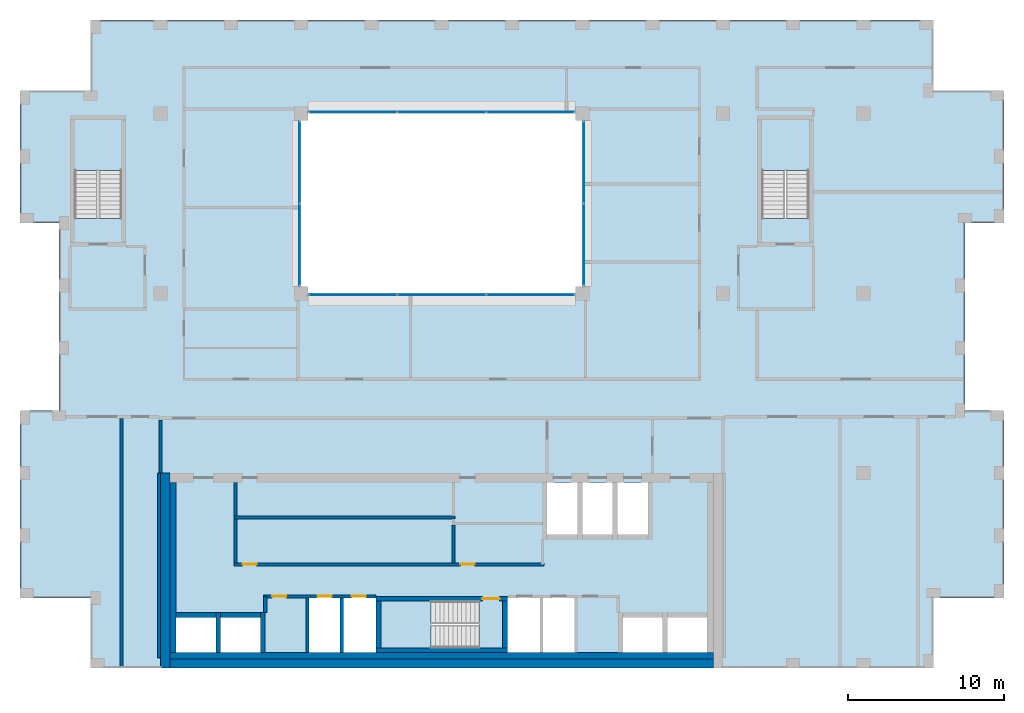
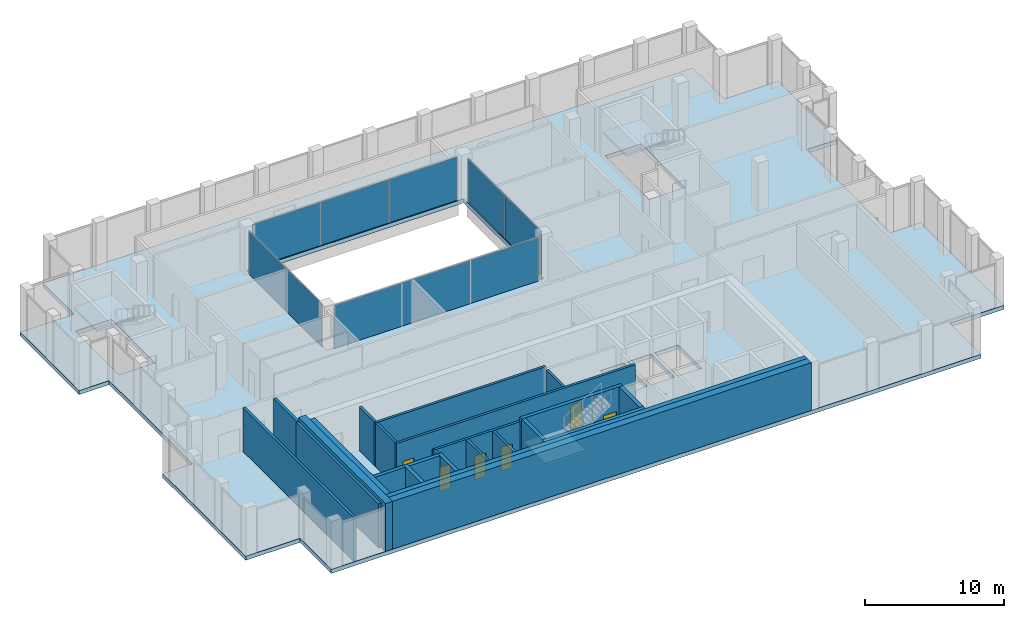
# One storey, part 10 of 15: 24 walls, 10 plates, 6 doors, 4 slabs, 6 openings, 7 elements without a shape of their own.
"""IFC4 building model written with IfcOpenShell, lengths in metres."""

from ifc_helpers import new_model, si_unit, direction, frame, frame_2d, origin, origin_2d, place, context, subcontext, project, spatial, polyline, rectangle, outline, extrude, material, layer, layer_set, type_object, element, fill, aggregate, save


model = new_model("IFC4")

# Units and contexts
model_context = context("Model", 3, precision=1e-05, world=origin(), true_north=direction((0.0, 1.0)))
body_context = subcontext(model_context, "Body", "Model", "MODEL_VIEW")
ifc_project = project(units=[si_unit("LENGTHUNIT", "METRE"), si_unit("AREAUNIT", "SQUARE_METRE"), si_unit("VOLUMEUNIT", "CUBIC_METRE"), si_unit("PLANEANGLEUNIT", "RADIAN"), si_unit("MASSUNIT", "GRAM", prefix="KILO")], contexts=[model_context])

# Site, building, storey
site_placement = place(None, origin())
site = spatial("IfcSite", under=ifc_project, at=site_placement, CompositionType="ELEMENT")
building_placement = place(site_placement, origin())
building = spatial("IfcBuilding", under=site, at=building_placement, Name="Brigalow Station Residences", CompositionType="ELEMENT")
storey_placement = place(building_placement, frame((0.0, 0.0, 235.800048828125)))
storey = spatial("IfcBuildingStorey", under=building, at=storey_placement, Name="L68", CompositionType="ELEMENT", Elevation=235.800048828125)

# Curtain wall, plates
ifc_material_1 = material(Name="Aluminium", Category="aluminium")
ifc_layer_1 = layer(ifc_material_1, 0.14990234375)
ifc_layer_set_1 = layer_set([ifc_layer_1], Name="ATRIUM FIRE-RATED GLAZING CURTAIN WALL")
curtain_wall_type = type_object("IfcCurtainWallType", Name="ATRIUM FIRE-RATED GLAZING CURTAIN WALL", PredefinedType="NOTDEFINED", material=ifc_layer_set_1)
curtain_wall_1_placement = place(storey_placement, origin())
curtain_wall_1 = element("IfcCurtainWall", 1, at=curtain_wall_1_placement, inside=storey, type_object=curtain_wall_type, Name="L68/cw/atrium-S", PredefinedType="NOTDEFINED")
ifc_material_2 = material(Name="Fire-resisting laminated glazing, FRL -/60/-", Category="glass")
ifc_layer_2 = layer(ifc_material_2, 0.031982421875)
ifc_layer_set_2 = layer_set([ifc_layer_2], Name="ATRIUM FIRE-RATED GLAZING PANEL 32")
plate_type = type_object("IfcPlateType", Name="ATRIUM FIRE-RATED GLAZING PANEL 32", PredefinedType="CURTAIN_PANEL", material=ifc_layer_set_2)
plate_1_placement = place(storey_placement, frame((30.31494140625, 23.89990234375, 0.0), z_axis=(0.0, 0.0, 1.0), x_axis=(1.0, 0.0, 0.0)))
plate_1 = element("IfcPlate", 2, at=plate_1_placement, type_object=plate_type, Name="L68/cw/atrium-S/P00-00", PredefinedType="CURTAIN_PANEL", context=body_context, shape_type="SweptSolid", body=[
    extrude(rectangle(XDim=5.610107421875, YDim=0.031982421875, at=origin_2d()), origin(), (0.0, 0.0, 1.0), 3.7900390625),
])
plate_2_placement = place(storey_placement, frame((36.0, 23.89990234375, 0.0), z_axis=(0.0, 0.0, 1.0), x_axis=(1.0, 0.0, 0.0)))
plate_2 = element("IfcPlate", 3, at=plate_2_placement, type_object=plate_type, Name="L68/cw/atrium-S/P01-00", PredefinedType="CURTAIN_PANEL", context=body_context, shape_type="SweptSolid", body=[
    extrude(rectangle(XDim=5.639892578125, YDim=0.031982421875, at=origin_2d()), origin(), (0.0, 0.0, 1.0), 3.7900390625),
])
plate_3_placement = place(storey_placement, frame((41.68505859375, 23.89990234375, 0.0), z_axis=(0.0, 0.0, 1.0), x_axis=(1.0, 0.0, 0.0)))
plate_3 = element("IfcPlate", 4, at=plate_3_placement, type_object=plate_type, Name="L68/cw/atrium-S/P02-00", PredefinedType="CURTAIN_PANEL", context=body_context, shape_type="SweptSolid", body=[
    extrude(rectangle(XDim=5.610107421875, YDim=0.031982421875, at=origin_2d()), origin(), (0.0, 0.0, 1.0), 3.7900390625),
])
aggregate(curtain_wall_1, [plate_1, plate_2, plate_3])

curtain_wall_2_placement = place(storey_placement, origin())
curtain_wall_2 = element("IfcCurtainWall", 5, at=curtain_wall_2_placement, inside=storey, type_object=curtain_wall_type, Name="L68/cw/atrium-E", PredefinedType="NOTDEFINED")
plate_4_placement = place(storey_placement, frame((45.10009765625, 27.114990234375, 0.0), z_axis=(0.0, 0.0, 1.0), x_axis=(0.0, 1.0, 0.0)))
plate_4 = element("IfcPlate", 6, at=plate_4_placement, type_object=plate_type, Name="L68/cw/atrium-E/P00-00", PredefinedType="CURTAIN_PANEL", context=body_context, shape_type="SweptSolid", body=[
    extrude(rectangle(XDim=5.2099609375, YDim=0.031982421875, at=origin_2d()), origin(), (0.0, 0.0, 1.0), 3.7900390625),
])
plate_5_placement = place(storey_placement, frame((45.10009765625, 32.385009765625, 0.0), z_axis=(0.0, 0.0, 1.0), x_axis=(0.0, 1.0, 0.0)))
plate_5 = element("IfcPlate", 7, at=plate_5_placement, type_object=plate_type, Name="L68/cw/atrium-E/P01-00", PredefinedType="CURTAIN_PANEL", context=body_context, shape_type="SweptSolid", body=[
    extrude(rectangle(XDim=5.2099609375, YDim=0.031982421875, at=origin_2d()), origin(), (0.0, 0.0, 1.0), 3.7900390625),
])
aggregate(curtain_wall_2, [plate_4, plate_5])

curtain_wall_3_placement = place(storey_placement, origin())
curtain_wall_3 = element("IfcCurtainWall", 8, at=curtain_wall_3_placement, inside=storey, type_object=curtain_wall_type, Name="L68/cw/atrium-N", PredefinedType="NOTDEFINED")
plate_6_placement = place(storey_placement, frame((41.68505859375, 35.60009765625, 0.0), z_axis=(0.0, 0.0, 1.0), x_axis=(-1.0, 0.0, 0.0)))
plate_6 = element("IfcPlate", 9, at=plate_6_placement, type_object=plate_type, Name="L68/cw/atrium-N/P00-00", PredefinedType="CURTAIN_PANEL", context=body_context, shape_type="SweptSolid", body=[
    extrude(rectangle(XDim=5.610107421875, YDim=0.031982421875, at=origin_2d()), origin(), (0.0, 0.0, 1.0), 3.7900390625),
])
plate_7_placement = place(storey_placement, frame((36.0, 35.60009765625, 0.0), z_axis=(0.0, 0.0, 1.0), x_axis=(-1.0, 0.0, 0.0)))
plate_7 = element("IfcPlate", 10, at=plate_7_placement, type_object=plate_type, Name="L68/cw/atrium-N/P01-00", PredefinedType="CURTAIN_PANEL", context=body_context, shape_type="SweptSolid", body=[
    extrude(rectangle(XDim=5.639892578125, YDim=0.031982421875, at=origin_2d()), origin(), (0.0, 0.0, 1.0), 3.7900390625),
])
plate_8_placement = place(storey_placement, frame((30.31494140625, 35.60009765625, 0.0), z_axis=(0.0, 0.0, 1.0), x_axis=(-1.0, 0.0, 0.0)))
plate_8 = element("IfcPlate", 11, at=plate_8_placement, type_object=plate_type, Name="L68/cw/atrium-N/P02-00", PredefinedType="CURTAIN_PANEL", context=body_context, shape_type="SweptSolid", body=[
    extrude(rectangle(XDim=5.610107421875, YDim=0.031982421875, at=origin_2d()), origin(), (0.0, 0.0, 1.0), 3.7900390625),
])
aggregate(curtain_wall_3, [plate_6, plate_7, plate_8])

curtain_wall_4_placement = place(storey_placement, origin())
curtain_wall_4 = element("IfcCurtainWall", 12, at=curtain_wall_4_placement, inside=storey, type_object=curtain_wall_type, Name="L68/cw/atrium-W", PredefinedType="NOTDEFINED")
plate_9_placement = place(storey_placement, frame((26.89990234375, 32.385009765625, 0.0), z_axis=(0.0, 0.0, 1.0), x_axis=(0.0, -1.0, 0.0)))
plate_9 = element("IfcPlate", 13, at=plate_9_placement, type_object=plate_type, Name="L68/cw/atrium-W/P00-00", PredefinedType="CURTAIN_PANEL", context=body_context, shape_type="SweptSolid", body=[
    extrude(rectangle(XDim=5.2099609375, YDim=0.031982421875, at=origin_2d()), origin(), (0.0, 0.0, 1.0), 3.7900390625),
])
plate_10_placement = place(storey_placement, frame((26.89990234375, 27.114990234375, 0.0), z_axis=(0.0, 0.0, 1.0), x_axis=(0.0, -1.0, 0.0)))
plate_10 = element("IfcPlate", 14, at=plate_10_placement, type_object=plate_type, Name="L68/cw/atrium-W/P01-00", PredefinedType="CURTAIN_PANEL", context=body_context, shape_type="SweptSolid", body=[
    extrude(rectangle(XDim=5.2099609375, YDim=0.031982421875, at=origin_2d()), origin(), (0.0, 0.0, 1.0), 3.7900390625),
])
aggregate(curtain_wall_4, [plate_9, plate_10])

# Slab
ifc_material_3 = material(Name="Concrete C50", Category="concrete")
ifc_layer_3 = layer(ifc_material_3, 0.35009765625)
ifc_layer_set_3 = layer_set([ifc_layer_3], Name="REINFORCED PLANT FLOOR SLAB 350 C50")
slab_type_1 = type_object("IfcSlabType", Name="REINFORCED PLANT FLOOR SLAB 350 C50", PredefinedType="FLOOR", material=ifc_layer_set_3)
slab_1_placement = place(storey_placement, frame((0.0, 0.0, -0.35009765625)))
element("IfcSlab", 15, at=slab_1_placement, inside=storey, type_object=slab_type_1, Name="FLOOR SLAB L68", PredefinedType="FLOOR", context=body_context, shape_type="SweptSolid", body=[
    extrude(outline(polyline([(13.5, 0.0), (67.5, 0.0), (67.5, 4.5), (72.0, 4.5), (72.0, 16.5), (69.5, 16.5), (69.5, 28.5), (72.0, 28.5), (72.0, 37.0), (67.5, 37.0), (67.5, 41.5), (13.5, 41.5), (13.5, 37.0), (9.0, 37.0), (9.0, 28.5), (11.5, 28.5), (11.5, 16.5), (9.0, 16.5), (9.0, 4.5), (13.5, 4.5), (13.5, 0.0)]), holes=[polyline([(12.5048828125, 35.094970703125), (15.4951171875, 35.094970703125), (15.4951171875, 28.804931640625), (12.5048828125, 28.804931640625), (12.5048828125, 35.094970703125)]), polyline([(19.0, 1.0), (19.0, 3.25), (21.550048828125, 3.25), (21.550048828125, 1.0), (19.0, 1.0)]), polyline([(21.85009765625, 3.25), (24.39990234375, 3.25), (24.39990234375, 1.0), (21.85009765625, 1.0), (21.85009765625, 3.25)]), polyline([(27.0, 35.5), (45.0, 35.5), (45.0, 24.0), (27.0, 24.0), (27.0, 35.5)]), polyline([(29.60009765625, 4.60009765625), (31.800048828125, 4.60009765625), (31.800048828125, 1.0), (29.60009765625, 1.0), (27.39990234375, 1.0), (27.39990234375, 4.60009765625), (29.60009765625, 4.60009765625)]), polyline([(32.10498046875, 4.294921875), (38.39501953125, 4.294921875), (38.39501953125, 1.304931640625), (32.10498046875, 1.304931640625), (32.10498046875, 4.294921875)]), polyline([(40.199951171875, 4.60009765625), (42.39990234375, 4.60009765625), (44.60009765625, 4.60009765625), (44.60009765625, 1.0), (42.39990234375, 1.0), (40.199951171875, 1.0), (40.199951171875, 4.60009765625)]), polyline([(42.75, 11.89990234375), (44.699951171875, 11.89990234375), (44.699951171875, 8.550048828125), (42.75, 8.550048828125), (42.75, 11.89990234375)]), polyline([(45.0, 11.89990234375), (46.949951171875, 11.89990234375), (46.949951171875, 8.550048828125), (45.0, 8.550048828125), (45.0, 11.89990234375)]), polyline([(47.25, 11.89990234375), (49.199951171875, 11.89990234375), (49.199951171875, 8.550048828125), (47.25, 8.550048828125), (47.25, 11.89990234375)]), polyline([(47.60009765625, 3.25), (50.14990234375, 3.25), (50.14990234375, 1.0), (47.60009765625, 1.0), (47.60009765625, 3.25)]), polyline([(50.449951171875, 3.25), (53.0, 3.25), (53.0, 1.0), (50.449951171875, 1.0), (50.449951171875, 3.25)]), polyline([(56.5048828125, 35.094970703125), (59.4951171875, 35.094970703125), (59.4951171875, 28.804931640625), (56.5048828125, 28.804931640625), (56.5048828125, 35.094970703125)])]), origin(), (0.0, 0.0, 1.0), 0.35009765625),
])

# Stair, slab
ifc_material_4 = material(Name="Concrete C50", Category="concrete")
stair_type = type_object("IfcStairType", Name="EXIT STAIR 1400 2 FLIGHT", PredefinedType="HALF_TURN_STAIR", material=ifc_material_4)
stair_1_placement = place(storey_placement, origin())
stair_1 = element("IfcStair", 16, at=stair_1_placement, inside=storey, type_object=stair_type, Name="EXIT STAIR S2 L68", PredefinedType="HALF_TURN_STAIR")
ifc_material_5 = material(Name="Concrete C50", Category="concrete")
ifc_layer_4 = layer(ifc_material_5, 0.199951171875)
ifc_layer_set_4 = layer_set([ifc_layer_4], Name="STAIR LANDING 200")
slab_type_2 = type_object("IfcSlabType", Name="STAIR LANDING 200", PredefinedType="LANDING", material=ifc_layer_set_4)
slab_2_placement = place(storey_placement, frame((0.0, 0.0, 1.89990234375)))
slab_2 = element("IfcSlab", 17, at=slab_2_placement, type_object=slab_type_2, Name="ST-2 landing 1", PredefinedType="LANDING", context=body_context, shape_type="SweptSolid", body=[
    extrude(outline(polyline([(32.0, 1.199951171875), (35.320068359375, 1.199951171875), (35.320068359375, 4.39990234375), (32.0, 4.39990234375), (32.0, 1.199951171875)])), origin(), (0.0, 0.0, 1.0), 0.199951171875),
])
aggregate(stair_1, [slab_2])

stair_2_placement = place(storey_placement, origin())
stair_2 = element("IfcStair", 18, at=stair_2_placement, inside=storey, type_object=stair_type, Name="EXIT STAIR S1 L68", PredefinedType="HALF_TURN_STAIR")
slab_3_placement = place(storey_placement, frame((0.0, 0.0, 1.89990234375)))
slab_3 = element("IfcSlab", 19, at=slab_3_placement, type_object=slab_type_2, Name="ST-1 landing 1", PredefinedType="LANDING", context=body_context, shape_type="SweptSolid", body=[
    extrude(outline(polyline([(12.39990234375, 31.8798828125), (15.60009765625, 31.8798828125), (15.60009765625, 35.199951171875), (12.39990234375, 35.199951171875), (12.39990234375, 31.8798828125)])), origin(), (0.0, 0.0, 1.0), 0.199951171875),
])
aggregate(stair_2, [slab_3])

stair_3_placement = place(storey_placement, origin())
stair_3 = element("IfcStair", 20, at=stair_3_placement, inside=storey, type_object=stair_type, Name="EXIT STAIR S3 L68", PredefinedType="HALF_TURN_STAIR")
slab_4_placement = place(storey_placement, frame((0.0, 0.0, 1.89990234375)))
slab_4 = element("IfcSlab", 21, at=slab_4_placement, type_object=slab_type_2, Name="ST-3 landing 1", PredefinedType="LANDING", context=body_context, shape_type="SweptSolid", body=[
    extrude(outline(polyline([(56.39990234375, 31.8798828125), (59.60009765625, 31.8798828125), (59.60009765625, 35.199951171875), (56.39990234375, 35.199951171875), (56.39990234375, 31.8798828125)])), origin(), (0.0, 0.0, 1.0), 0.199951171875),
])
aggregate(stair_3, [slab_4])

# Walls
ifc_material_6 = material(Name="Concrete C50", Category="concrete")
ifc_layer_5 = layer(ifc_material_6, 0.300048828125)
ifc_layer_set_5 = layer_set([ifc_layer_5], Name="CORE SHEAR WALL 300 C50")
wall_type_1 = type_object("IfcWallType", Name="CORE SHEAR WALL 300 C50", PredefinedType="SHEAR", material=ifc_layer_set_5)
wall_1_placement = place(storey_placement, frame((19.0, 3.39990234375, 0.0), z_axis=(0.0, 0.0, 1.0), x_axis=(1.0, 0.0, 0.0)))
element("IfcWall", 22, at=wall_1_placement, inside=storey, type_object=wall_type_1, Name="CORE WALL SH-C1-N L68", PredefinedType="SHEAR", context=body_context, shape_type="SweptSolid", body=[
    extrude(rectangle(XDim=2.550048828125, YDim=0.300048828125, at=frame_2d((1.27490234375, 0.0))), origin(), (0.0, 0.0, 1.0), 4.199951171875),
])
wall_2_placement = place(storey_placement, frame((21.85009765625, 3.39990234375, 0.0), z_axis=(0.0, 0.0, 1.0), x_axis=(1.0, 0.0, 0.0)))
element("IfcWall", 23, at=wall_2_placement, inside=storey, type_object=wall_type_1, Name="CORE WALL SH-C2-N L68", PredefinedType="SHEAR", context=body_context, shape_type="SweptSolid", body=[
    extrude(rectangle(XDim=2.5498046875, YDim=0.300048828125, at=frame_2d((1.27490234375, 0.0))), origin(), (0.0, 0.0, 1.0), 4.199951171875),
])
for number, where, z_axis, x_axis, name in (
    (24, (21.699951171875, 1.0, 0.0), (0.0, 0.0, 1.0), (0.0, 1.0, 0.0), "CORE WALL SH-C2-W L68"),
    (25, (24.550048828125, 1.0, 0.0), (0.0, 0.0, 1.0), (0.0, 1.0, 0.0), "CORE WALL SH-C2-E L68"),
):
    element("IfcWall", number, at=place(storey_placement, frame(where, z_axis=z_axis, x_axis=x_axis)), inside=storey, type_object=wall_type_1, Name=name, PredefinedType="SHEAR", context=body_context, shape_type="SweptSolid", body=[
        extrude(rectangle(XDim=2.550048828125, YDim=0.300048828125, at=frame_2d((1.27490234375, 0.0))), origin(), (0.0, 0.0, 1.0), 4.199951171875),
    ])
wall_3_placement = place(storey_placement, frame((31.800048828125, 1.14990234375, 0.0), z_axis=(0.0, 0.0, 1.0), x_axis=(1.0, 0.0, 0.0)))
element("IfcWall", 26, at=wall_3_placement, inside=storey, type_object=wall_type_1, Name="CORE WALL ST-S2-S L68", PredefinedType="SHEAR", context=body_context, shape_type="SweptSolid", body=[
    extrude(rectangle(XDim=8.39990234375, YDim=0.300048828125, at=frame_2d((4.199951171875, 0.0))), origin(), (0.0, 0.0, 1.0), 4.199951171875),
])

# Wall, opening, door
wall_4_placement = place(storey_placement, frame((31.800048828125, 4.449951171875, 0.0), z_axis=(0.0, 0.0, 1.0), x_axis=(1.0, 0.0, 0.0)))
wall_4 = element("IfcWall", 27, at=wall_4_placement, inside=storey, type_object=wall_type_1, Name="CORE WALL ST-S2-N L68", PredefinedType="SHEAR", context=body_context, shape_type="SweptSolid", body=[
    extrude(rectangle(XDim=8.39990234375, YDim=0.300048828125, at=frame_2d((4.199951171875, 0.0))), origin(), (0.0, 0.0, 1.0), 4.199951171875),
])
opening_1_placement = place(wall_4_placement, frame((6.800048828125, 0.0, 0.0)))
opening_1 = element("IfcOpeningElement", 28, at=opening_1_placement, cuts=wall_4, Name="Opening D-5001", PredefinedType="OPENING", context=body_context, shape_type="SweptSolid", body=[
    extrude(rectangle(XDim=1.10009765625, YDim=2.10009765625, at=frame_2d((0.550048828125, 1.050048828125))), frame((0.0, 0.16015625, 0.0), z_axis=(0.0, -1.0, 0.0), x_axis=(1.0, 0.0, 0.0)), (0.0, 0.0, 1.0), 0.320068359375),
])
ifc_material_7 = material(Name="Steel fire door leaf in steel frame", Category="steel")
door_type_1 = type_object("IfcDoorType", Name="STAIR DOOR 1100 x 2100 FD60S", OperationType="SINGLE_SWING_LEFT", PredefinedType="DOOR", material=ifc_material_7)
door_1_placement = place(opening_1_placement, frame((1.10009765625, 0.0, 0.0), z_axis=(0.0, 0.0, 1.0), x_axis=(-1.0, 0.0, 0.0)))
door_1 = element("IfcDoor", 29, at=door_1_placement, inside=storey, type_object=door_type_1, Name="D-5001", OperationType="SINGLE_SWING_LEFT", OverallHeight=2.10009765625, OverallWidth=1.10009765625, PredefinedType="DOOR", context=body_context, shape_type="SweptSolid", body=[
    extrude(rectangle(XDim=1.10009765625, YDim=2.10009765625, at=frame_2d((0.550048828125, 1.050048828125))), frame((0.0, 0.02490234375, 0.0), z_axis=(0.0, -1.0, 0.0), x_axis=(1.0, 0.0, 0.0)), (0.0, 0.0, 1.0), 0.050048828125),
])
fill(opening_1, door_1)

# Walls
for number, where, z_axis, x_axis, name in (
    (30, (31.949951171875, 1.300048828125, 0.0), (0.0, 0.0, 1.0), (0.0, 1.0, 0.0), "CORE WALL ST-S2-W L68"),
    (31, (40.050048828125, 1.300048828125, 0.0), (0.0, 0.0, 1.0), (0.0, 1.0, 0.0), "CORE WALL ST-S2-E L68"),
):
    element("IfcWall", number, at=place(storey_placement, frame(where, z_axis=z_axis, x_axis=x_axis)), inside=storey, type_object=wall_type_1, Name=name, PredefinedType="SHEAR", context=body_context, shape_type="SweptSolid", body=[
        extrude(rectangle(XDim=3.0, YDim=0.300048828125, at=frame_2d((1.5, 0.0))), origin(), (0.0, 0.0, 1.0), 4.199951171875),
    ])
ifc_material_8 = material(Name="Concrete C50", Category="concrete")
ifc_layer_6 = layer(ifc_material_8, 0.39990234375)
ifc_layer_set_6 = layer_set([ifc_layer_6], Name="CORE SHEAR WALL 400 C50")
wall_type_2 = type_object("IfcWallType", Name="CORE SHEAR WALL 400 C50", PredefinedType="SHEAR", material=ifc_layer_set_6)
wall_5_placement = place(storey_placement, frame((18.800048828125, 1.0, 0.0), z_axis=(0.0, 0.0, 1.0), x_axis=(0.0, 1.0, 0.0)))
element("IfcWall", 32, at=wall_5_placement, inside=storey, type_object=wall_type_2, Name="CORE WALL LIN-W L68", PredefinedType="SHEAR", context=body_context, shape_type="SweptSolid", body=[
    extrude(rectangle(XDim=10.89990234375, YDim=0.39990234375, at=frame_2d((5.449951171875, 0.0))), origin(), (0.0, 0.0, 1.0), 4.199951171875),
])
wall_6_placement = place(storey_placement, frame((18.60009765625, 0.800048828125, 0.0), z_axis=(0.0, 0.0, 1.0), x_axis=(1.0, 0.0, 0.0)))
element("IfcWall", 33, at=wall_6_placement, inside=storey, type_object=wall_type_2, Name="CORE WALL LIN-S L68", PredefinedType="SHEAR", context=body_context, shape_type="SweptSolid", body=[
    extrude(rectangle(XDim=34.7998046875, YDim=0.39990234375, at=frame_2d((17.39990234375, 0.0))), origin(), (0.0, 0.0, 1.0), 4.199951171875),
])
ifc_material_9 = material(Name="Concrete C50", Category="concrete")
ifc_layer_7 = layer(ifc_material_9, 0.60009765625)
ifc_layer_set_7 = layer_set([ifc_layer_7], Name="CORE SHEAR WALL 600 C50")
wall_type_3 = type_object("IfcWallType", Name="CORE SHEAR WALL 600 C50", PredefinedType="SHEAR", material=ifc_layer_set_7)
wall_7_placement = place(storey_placement, frame((18.300048828125, 0.0, 0.0), z_axis=(0.0, 0.0, 1.0), x_axis=(0.0, 1.0, 0.0)))
element("IfcWall", 34, at=wall_7_placement, inside=storey, type_object=wall_type_3, Name="CORE WALL OUT-W L68", PredefinedType="SHEAR", context=body_context, shape_type="SweptSolid", body=[
    extrude(rectangle(XDim=12.5, YDim=0.60009765625, at=frame_2d((6.25, 0.0))), origin(), (0.0, 0.0, 1.0), 4.199951171875),
])
wall_8_placement = place(storey_placement, frame((18.60009765625, 0.300048828125, 0.0), z_axis=(0.0, 0.0, 1.0), x_axis=(1.0, 0.0, 0.0)))
element("IfcWall", 35, at=wall_8_placement, inside=storey, type_object=wall_type_3, Name="CORE WALL OUT-S L68", PredefinedType="SHEAR", context=body_context, shape_type="SweptSolid", body=[
    extrude(rectangle(XDim=34.7998046875, YDim=0.60009765625, at=frame_2d((17.39990234375, 0.0))), origin(), (0.0, 0.0, 1.0), 4.199951171875),
])

# Wall, openings, doors
ifc_material_10 = material(Name="Concrete blockwork", Category="masonry")
ifc_layer_8 = layer(ifc_material_10, 0.199951171875)
ifc_layer_set_8 = layer_set([ifc_layer_8], Name="FIRE RATED CORE PARTITION 200")
wall_type_4 = type_object("IfcWallType", Name="FIRE RATED CORE PARTITION 200", PredefinedType="PARTITIONING", material=ifc_layer_set_8)
wall_9_placement = place(storey_placement, frame((24.60009765625, 4.60009765625, 0.0), z_axis=(0.0, 0.0, 1.0), x_axis=(1.0, 0.0, 0.0)))
wall_9 = element("IfcWall", 36, at=wall_9_placement, inside=storey, type_object=wall_type_4, Name="PW-5243", PredefinedType="PARTITIONING", context=body_context, shape_type="SweptSolid", body=[
    extrude(rectangle(XDim=7.199951171875, YDim=0.199951171875, at=frame_2d((3.60009765625, 0.0))), origin(), (0.0, 0.0, 1.0), 3.849853515625),
])
opening_2_placement = place(wall_9_placement, frame((0.550048828125, 0.0, 0.0)))
opening_2 = element("IfcOpeningElement", 37, at=opening_2_placement, cuts=wall_9, Name="Opening D-5124", PredefinedType="OPENING", context=body_context, shape_type="SweptSolid", body=[
    extrude(rectangle(XDim=0.89990234375, YDim=2.10009765625, at=frame_2d((0.449951171875, 1.050048828125))), frame((0.0, 0.10986328125, 0.0), z_axis=(0.0, -1.0, 0.0), x_axis=(1.0, 0.0, 0.0)), (0.0, 0.0, 1.0), 0.219970703125),
])
opening_3_placement = place(wall_9_placement, frame((3.449951171875, 0.0, 0.0)))
opening_3 = element("IfcOpeningElement", 38, at=opening_3_placement, cuts=wall_9, Name="Opening D-5007", PredefinedType="OPENING", context=body_context, shape_type="SweptSolid", body=[
    extrude(rectangle(XDim=0.89990234375, YDim=2.10009765625, at=frame_2d((0.449951171875, 1.050048828125))), frame((0.0, 0.10986328125, 0.0), z_axis=(0.0, -1.0, 0.0), x_axis=(1.0, 0.0, 0.0)), (0.0, 0.0, 1.0), 0.219970703125),
])
opening_4_placement = place(wall_9_placement, frame((5.64990234375, 0.0, 0.0)))
opening_4 = element("IfcOpeningElement", 39, at=opening_4_placement, cuts=wall_9, Name="Opening D-5008", PredefinedType="OPENING", context=body_context, shape_type="SweptSolid", body=[
    extrude(rectangle(XDim=0.89990234375, YDim=2.10009765625, at=frame_2d((0.449951171875, 1.050048828125))), frame((0.0, 0.10986328125, 0.0), z_axis=(0.0, -1.0, 0.0), x_axis=(1.0, 0.0, 0.0)), (0.0, 0.0, 1.0), 0.219970703125),
])
ifc_material_11 = material(Name="Steel fire door leaf in steel frame", Category="steel")
door_type_2 = type_object("IfcDoorType", Name="PLANT ROOM DOOR 900 x 2100 FD60", OperationType="SINGLE_SWING_LEFT", PredefinedType="DOOR", material=ifc_material_11)
door_2_placement = place(opening_2_placement, frame((0.89990234375, 0.0, 0.0), z_axis=(0.0, 0.0, 1.0), x_axis=(-1.0, 0.0, 0.0)))
door_2 = element("IfcDoor", 40, at=door_2_placement, inside=storey, type_object=door_type_2, Name="D-5124", OperationType="SINGLE_SWING_RIGHT", OverallHeight=2.10009765625, OverallWidth=0.89990234375, PredefinedType="DOOR", context=body_context, shape_type="SweptSolid", body=[
    extrude(rectangle(XDim=0.89990234375, YDim=2.10009765625, at=frame_2d((0.449951171875, 1.050048828125))), frame((0.0, 0.02490234375, 0.0), z_axis=(0.0, -1.0, 0.0), x_axis=(1.0, 0.0, 0.0)), (0.0, 0.0, 1.0), 0.050048828125),
])
fill(opening_2, door_2)
ifc_material_12 = material(Name="Steel fire door leaf in steel frame", Category="steel")
door_type_3 = type_object("IfcDoorType", Name="RISER ACCESS DOOR 900 x 2100 FD120", OperationType="SINGLE_SWING_LEFT", PredefinedType="DOOR", material=ifc_material_12)
door_3_placement = place(opening_3_placement, frame((0.89990234375, 0.0, 0.0), z_axis=(0.0, 0.0, 1.0), x_axis=(-1.0, 0.0, 0.0)))
door_3 = element("IfcDoor", 41, at=door_3_placement, inside=storey, type_object=door_type_3, Name="D-5007", OperationType="SINGLE_SWING_RIGHT", OverallHeight=2.10009765625, OverallWidth=0.89990234375, PredefinedType="DOOR", context=body_context, shape_type="SweptSolid", body=[
    extrude(rectangle(XDim=0.89990234375, YDim=2.10009765625, at=frame_2d((0.449951171875, 1.050048828125))), frame((0.0, 0.02490234375, 0.0), z_axis=(0.0, -1.0, 0.0), x_axis=(1.0, 0.0, 0.0)), (0.0, 0.0, 1.0), 0.050048828125),
])
fill(opening_3, door_3)
door_4_placement = place(opening_4_placement, frame((0.89990234375, 0.0, 0.0), z_axis=(0.0, 0.0, 1.0), x_axis=(-1.0, 0.0, 0.0)))
door_4 = element("IfcDoor", 42, at=door_4_placement, inside=storey, type_object=door_type_3, Name="D-5008", OperationType="SINGLE_SWING_RIGHT", OverallHeight=2.10009765625, OverallWidth=0.89990234375, PredefinedType="DOOR", context=body_context, shape_type="SweptSolid", body=[
    extrude(rectangle(XDim=0.89990234375, YDim=2.10009765625, at=frame_2d((0.449951171875, 1.050048828125))), frame((0.0, 0.02490234375, 0.0), z_axis=(0.0, -1.0, 0.0), x_axis=(1.0, 0.0, 0.0)), (0.0, 0.0, 1.0), 0.050048828125),
])
fill(opening_4, door_4)

wall_10_placement = place(storey_placement, frame((22.699951171875, 6.64990234375, 0.0), z_axis=(0.0, 0.0, 1.0), x_axis=(1.0, 0.0, 0.0)))
wall_10 = element("IfcWall", 43, at=wall_10_placement, inside=storey, type_object=wall_type_4, Name="PW-5245", PredefinedType="PARTITIONING", context=body_context, shape_type="SweptSolid", body=[
    extrude(rectangle(XDim=19.85009765625, YDim=0.199951171875, at=frame_2d((9.925048828125, 0.0))), origin(), (0.0, 0.0, 1.0), 3.849853515625),
])
opening_5_placement = place(wall_10_placement, frame((14.5, 0.0, 0.0)))
opening_5 = element("IfcOpeningElement", 44, at=opening_5_placement, cuts=wall_10, Name="Opening D-5125", PredefinedType="OPENING", context=body_context, shape_type="SweptSolid", body=[
    extrude(rectangle(XDim=0.89990234375, YDim=2.10009765625, at=frame_2d((0.449951171875, 1.050048828125))), frame((0.0, 0.10986328125, 0.0), z_axis=(0.0, -1.0, 0.0), x_axis=(1.0, 0.0, 0.0)), (0.0, 0.0, 1.0), 0.219970703125),
])
opening_6_placement = place(wall_10_placement, frame((0.550048828125, 0.0, 0.0)))
opening_6 = element("IfcOpeningElement", 45, at=opening_6_placement, cuts=wall_10, Name="Opening D-5128", PredefinedType="OPENING", context=body_context, shape_type="SweptSolid", body=[
    extrude(rectangle(XDim=0.89990234375, YDim=2.10009765625, at=frame_2d((0.449951171875, 1.050048828125))), frame((0.0, 0.10986328125, 0.0), z_axis=(0.0, -1.0, 0.0), x_axis=(1.0, 0.0, 0.0)), (0.0, 0.0, 1.0), 0.219970703125),
])
door_5_placement = place(opening_5_placement, origin())
door_5 = element("IfcDoor", 46, at=door_5_placement, inside=storey, type_object=door_type_2, Name="D-5125", OperationType="SINGLE_SWING_LEFT", OverallHeight=2.10009765625, OverallWidth=0.89990234375, PredefinedType="DOOR", context=body_context, shape_type="SweptSolid", body=[
    extrude(rectangle(XDim=0.89990234375, YDim=2.10009765625, at=frame_2d((0.449951171875, 1.050048828125))), frame((0.0, 0.02490234375, 0.0), z_axis=(0.0, -1.0, 0.0), x_axis=(1.0, 0.0, 0.0)), (0.0, 0.0, 1.0), 0.050048828125),
])
fill(opening_5, door_5)
door_6_placement = place(opening_6_placement, origin())
door_6 = element("IfcDoor", 47, at=door_6_placement, inside=storey, type_object=door_type_2, Name="D-5128", OperationType="SINGLE_SWING_LEFT", OverallHeight=2.10009765625, OverallWidth=0.89990234375, PredefinedType="DOOR", context=body_context, shape_type="SweptSolid", body=[
    extrude(rectangle(XDim=0.89990234375, YDim=2.10009765625, at=frame_2d((0.449951171875, 1.050048828125))), frame((0.0, 0.02490234375, 0.0), z_axis=(0.0, -1.0, 0.0), x_axis=(1.0, 0.0, 0.0)), (0.0, 0.0, 1.0), 0.050048828125),
])
fill(opening_6, door_6)

# Walls
wall_11_placement = place(storey_placement, frame((22.699951171875, 9.64990234375, 0.0), z_axis=(0.0, 0.0, 1.0), x_axis=(1.0, 0.0, 0.0)))
element("IfcWall", 48, at=wall_11_placement, inside=storey, type_object=wall_type_4, Name="PW-5247", PredefinedType="PARTITIONING", context=body_context, shape_type="SweptSolid", body=[
    extrude(rectangle(XDim=14.150146484375, YDim=0.199951171875, at=frame_2d((7.0751953125, 0.0))), origin(), (0.0, 0.0, 1.0), 3.849853515625),
])
for number, where, z_axis, x_axis, name in (
    (49, (27.39990234375, 1.0, 0.0), (0.0, 0.0, 1.0), (0.0, 1.0, 0.0), "PW-5005"),
    (50, (29.60009765625, 1.0, 0.0), (0.0, 0.0, 1.0), (0.0, 1.0, 0.0), "PW-5006"),
):
    element("IfcWall", number, at=place(storey_placement, frame(where, z_axis=z_axis, x_axis=x_axis)), inside=storey, type_object=wall_type_4, Name=name, PredefinedType="PARTITIONING", context=body_context, shape_type="SweptSolid", body=[
        extrude(rectangle(XDim=3.5, YDim=0.199951171875, at=frame_2d((1.75, 0.0))), origin(), (0.0, 0.0, 1.0), 3.849853515625),
    ])
wall_12_placement = place(storey_placement, frame((24.699951171875, 3.550048828125, 0.0), z_axis=(0.0, 0.0, 1.0), x_axis=(0.0, 1.0, 0.0)))
element("IfcWall", 51, at=wall_12_placement, inside=storey, type_object=wall_type_4, Name="PW-5250", PredefinedType="PARTITIONING", context=body_context, shape_type="SweptSolid", body=[
    extrude(rectangle(XDim=1.050048828125, YDim=0.199951171875, at=frame_2d((0.52490234375, 0.0))), origin(), (0.0, 0.0, 1.0), 3.849853515625),
])
wall_13_placement = place(storey_placement, frame((22.800048828125, 6.75, 0.0), z_axis=(0.0, 0.0, 1.0), x_axis=(0.0, 1.0, 0.0)))
element("IfcWall", 52, at=wall_13_placement, inside=storey, type_object=wall_type_4, Name="PW-5252", PredefinedType="PARTITIONING", context=body_context, shape_type="SweptSolid", body=[
    extrude(rectangle(XDim=2.800048828125, YDim=0.199951171875, at=frame_2d((1.39990234375, 0.0))), origin(), (0.0, 0.0, 1.0), 3.849853515625),
])
wall_14_placement = place(storey_placement, frame((36.75, 6.75, 0.0), z_axis=(0.0, 0.0, 1.0), x_axis=(0.0, 1.0, 0.0)))
element("IfcWall", 53, at=wall_14_placement, inside=storey, type_object=wall_type_4, Name="PW-5253", PredefinedType="PARTITIONING", context=body_context, shape_type="SweptSolid", body=[
    extrude(rectangle(XDim=2.425048828125, YDim=0.199951171875, at=frame_2d((1.21240234375, 0.0))), origin(), (0.0, 0.0, 1.0), 3.849853515625),
])
wall_15_placement = place(storey_placement, frame((22.800048828125, 9.75, 0.0), z_axis=(0.0, 0.0, 1.0), x_axis=(0.0, 1.0, 0.0)))
element("IfcWall", 54, at=wall_15_placement, inside=storey, type_object=wall_type_4, Name="PW-5255", PredefinedType="PARTITIONING", context=body_context, shape_type="SweptSolid", body=[
    extrude(rectangle(XDim=2.14990234375, YDim=0.199951171875, at=frame_2d((1.074951171875, 0.0))), origin(), (0.0, 0.0, 1.0), 3.849853515625),
])
wall_16_placement = place(storey_placement, frame((18.0, 12.5, 0.0), z_axis=(0.0, 0.0, 1.0), x_axis=(0.0, 1.0, 0.0)))
element("IfcWall", 55, at=wall_16_placement, inside=storey, type_object=wall_type_4, Name="PW-5013", PredefinedType="PARTITIONING", context=body_context, shape_type="SweptSolid", body=[
    extrude(rectangle(XDim=3.39990234375, YDim=0.199951171875, at=frame_2d((1.699951171875, 0.0))), origin(), (0.0, 0.0, 1.0), 3.849853515625),
])
wall_17_placement = place(storey_placement, frame((15.5, 0.093017578125, 0.0), z_axis=(0.0, 0.0, 1.0), x_axis=(0.0, 1.0, 0.0)))
element("IfcWall", 56, at=wall_17_placement, inside=storey, type_object=wall_type_4, Name="PW-5316", PredefinedType="PARTITIONING", context=body_context, shape_type="SweptSolid", body=[
    extrude(rectangle(XDim=15.906982421875, YDim=0.199951171875, at=frame_2d((7.95361328125, 0.0))), origin(), (0.0, 0.0, 1.0), 3.849853515625),
])
wall_18_placement = place(storey_placement, frame((17.89990234375, 0.64990234375, 0.0), z_axis=(0.0, 0.0, 1.0), x_axis=(0.0, 1.0, 0.0)))
element("IfcWall", 57, at=wall_18_placement, inside=storey, type_object=wall_type_4, Name="PW-5317", PredefinedType="PARTITIONING", context=body_context, shape_type="SweptSolid", body=[
    extrude(rectangle(XDim=11.85009765625, YDim=0.199951171875, at=frame_2d((5.925048828125, 0.0))), origin(), (0.0, 0.0, 1.0), 3.849853515625),
])

save(model, "model.ifc")
